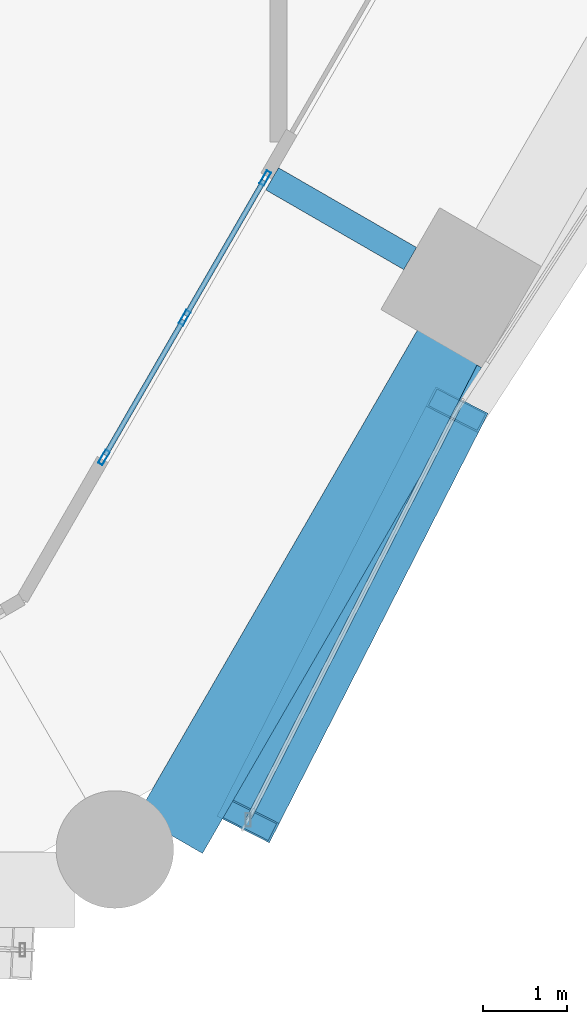
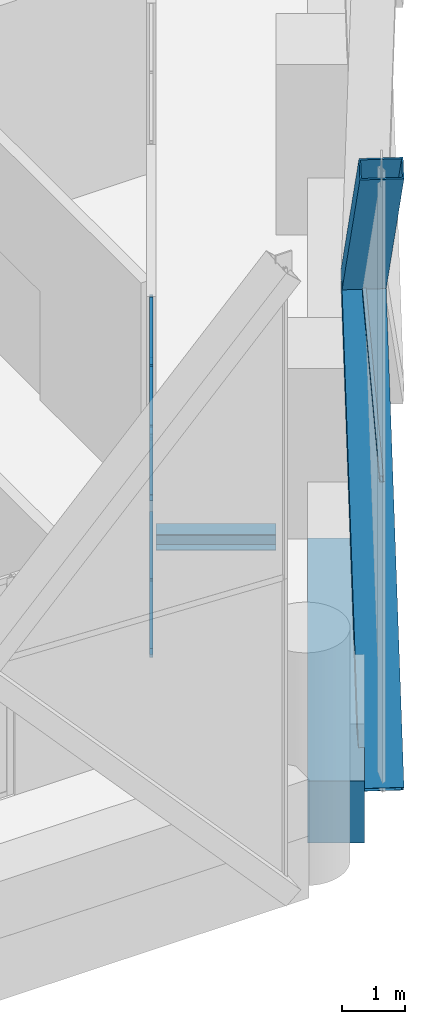
# One storey, part 17 of 46: 12 members, 2 beams, 2 elements without a shape of their own.
"""IFC4 building model written with IfcOpenShell, lengths in metres."""

from ifc_helpers import new_model, si_unit, direction, frame, origin, origin_2d, place, context, subcontext, project, spatial, rectangle, hollow_rectangle, i_section, extrude, material, material_profile, profile_set, type_object, element, aggregate, save


model = new_model("IFC4")

# Units and contexts
model_context = context("Model", 3, precision=1e-05, world=origin(), true_north=direction((0.0, 1.0)))
body_context = subcontext(model_context, "Body", "Model", "MODEL_VIEW")
ifc_project = project(units=[si_unit("LENGTHUNIT", "METRE"), si_unit("AREAUNIT", "SQUARE_METRE"), si_unit("VOLUMEUNIT", "CUBIC_METRE"), si_unit("PLANEANGLEUNIT", "RADIAN"), si_unit("MASSUNIT", "GRAM", prefix="KILO")], contexts=[model_context])

# Site, building, storey
site_placement = place(None, origin())
site = spatial("IfcSite", under=ifc_project, at=site_placement, CompositionType="ELEMENT")
building_placement = place(site_placement, origin())
building = spatial("IfcBuilding", under=site, at=building_placement, Name="Ostrander Bayou Hotel Tower", CompositionType="ELEMENT")
storey_placement = place(building_placement, frame((0.0, 0.0, 23.5)))
storey = spatial("IfcBuildingStorey", under=building, at=storey_placement, Name="L05", CompositionType="ELEMENT", Elevation=23.5)

# Curtain wall, member
ifc_material_1 = material(Name="Aluminium and clear glass", Category="aluminium")
curtain_wall_type_1 = type_object("IfcCurtainWallType", Name="CW-LAT lattice glazing", PredefinedType="NOTDEFINED", material=ifc_material_1)
curtain_wall_1_placement = place(storey_placement, origin())
curtain_wall_1 = element("IfcCurtainWall", 1, at=curtain_wall_1_placement, inside=storey, type_object=curtain_wall_type_1, Name="CW-LAT L05 SE 2", PredefinedType="NOTDEFINED")
ifc_material_2 = material(Name="Aluminium", Category="aluminium")
ifc_material_profile_1 = material_profile(ifc_material_2, hollow_rectangle(XDim=0.06005859375, YDim=0.1201171875, WallThickness=0.00390625, at=origin_2d()))
ifc_profile_set_1 = profile_set([ifc_material_profile_1], Name="Aluminium")
member_type_1 = type_object("IfcMemberType", Name="CW-LA transom 60 x 120 mm", PredefinedType="USERDEFINED", material=ifc_profile_set_1)
member_1_placement = place(storey_placement, frame((13.637939453125, -20.5185546875, 5.39990234375), z_axis=(0.45398127214, 0.891011225825, 0.0), x_axis=(-0.891011225825, 0.45398127214, 0.0)))
member_1 = element("IfcMember", 2, at=member_1_placement, type_object=member_type_1, Name="CW-LAT transom 3", ObjectType="TRANSOM", PredefinedType="USERDEFINED", context=body_context, shape_type="SweptSolid", body=[
    extrude(hollow_rectangle(XDim=0.06005859375, YDim=0.1201171875, WallThickness=0.00390625, at=origin_2d()), origin(), (0.0, 0.0, 1.0), 6.0634765625),
])
aggregate(curtain_wall_1, [member_1])

# Curtain wall, members
ifc_material_3 = material(Name="Aluminium and clear glass", Category="aluminium")
curtain_wall_type_2 = type_object("IfcCurtainWallType", Name="CW-SKY amenity glass wall", PredefinedType="NOTDEFINED", material=ifc_material_3)
curtain_wall_2_placement = place(storey_placement, origin())
curtain_wall_2 = element("IfcCurtainWall", 3, at=curtain_wall_2_placement, inside=storey, type_object=curtain_wall_type_2, Name="CW-SKY L05 SE 1", PredefinedType="NOTDEFINED")
ifc_material_4 = material(Name="Aluminium", Category="aluminium")
ifc_material_profile_2 = material_profile(ifc_material_4, hollow_rectangle(XDim=0.06005859375, YDim=0.179931640625, WallThickness=0.00390625, at=origin_2d()))
ifc_profile_set_2 = profile_set([ifc_material_profile_2], Name="Aluminium")
member_type_2 = type_object("IfcMemberType", Name="CW-SK mullion 60 x 180 mm", PredefinedType="MULLION", material=ifc_profile_set_2)
member_2_placement = place(storey_placement, frame((11.92138671875, -16.201416015625, 0.0), z_axis=(0.0, 0.0, 1.0), x_axis=(-0.866025463091, 0.499999897278, 0.0)))
member_2 = element("IfcMember", 4, at=member_2_placement, type_object=member_type_2, Name="CW-SKY mullion 1", PredefinedType="MULLION", context=body_context, shape_type="SweptSolid", body=[
    extrude(hollow_rectangle(XDim=0.06005859375, YDim=0.179931640625, WallThickness=0.00390625, at=origin_2d()), origin(), (0.0, 0.0, 1.0), 4.199951171875),
])
member_3_placement = place(storey_placement, frame((12.881591796875, -14.53857421875, 0.0), z_axis=(0.0, 0.0, 1.0), x_axis=(-0.866025463091, 0.499999897278, 0.0)))
member_3 = element("IfcMember", 5, at=member_3_placement, type_object=member_type_2, Name="CW-SKY mullion 2", PredefinedType="MULLION", context=body_context, shape_type="SweptSolid", body=[
    extrude(hollow_rectangle(XDim=0.06005859375, YDim=0.179931640625, WallThickness=0.00390625, at=origin_2d()), origin(), (0.0, 0.0, 1.0), 4.199951171875),
])
member_4_placement = place(storey_placement, frame((13.841552734375, -12.875732421875, 0.0), z_axis=(0.0, 0.0, 1.0), x_axis=(-0.866025463091, 0.499999897278, 0.0)))
member_4 = element("IfcMember", 6, at=member_4_placement, type_object=member_type_2, Name="CW-SKY mullion 3", PredefinedType="MULLION", context=body_context, shape_type="SweptSolid", body=[
    extrude(hollow_rectangle(XDim=0.06005859375, YDim=0.179931640625, WallThickness=0.00390625, at=origin_2d()), origin(), (0.0, 0.0, 1.0), 4.199951171875),
])
ifc_material_5 = material(Name="Aluminium", Category="aluminium")
ifc_material_profile_3 = material_profile(ifc_material_5, hollow_rectangle(XDim=0.06005859375, YDim=0.1201171875, WallThickness=0.00390625, at=origin_2d()))
ifc_profile_set_3 = profile_set([ifc_material_profile_3], Name="Aluminium")
member_type_3 = type_object("IfcMemberType", Name="CW-SK transom 60 x 120 mm", PredefinedType="USERDEFINED", material=ifc_profile_set_3)
member_5_placement = place(storey_placement, frame((11.9365234375, -16.17529296875, 0.030029296875), z_axis=(0.499964847546, 0.866045698112, 0.0), x_axis=(-0.866045698112, 0.499964847546, 0.0)))
member_5 = element("IfcMember", 7, at=member_5_placement, type_object=member_type_3, Name="CW-SKY transom 1.1", ObjectType="TRANSOM", PredefinedType="USERDEFINED", context=body_context, shape_type="SweptSolid", body=[
    extrude(hollow_rectangle(XDim=0.06005859375, YDim=0.1201171875, WallThickness=0.00390625, at=origin_2d()), origin(), (0.0, 0.0, 1.0), 1.860107421875),
])
member_6_placement = place(storey_placement, frame((11.9365234375, -16.17529296875, 3.0), z_axis=(0.499964847546, 0.866045698112, 0.0), x_axis=(-0.866045698112, 0.499964847546, 0.0)))
member_6 = element("IfcMember", 8, at=member_6_placement, type_object=member_type_3, Name="CW-SKY transom 1.2", ObjectType="TRANSOM", PredefinedType="USERDEFINED", context=body_context, shape_type="SweptSolid", body=[
    extrude(hollow_rectangle(XDim=0.06005859375, YDim=0.1201171875, WallThickness=0.00390625, at=origin_2d()), origin(), (0.0, 0.0, 1.0), 1.860107421875),
])
member_7_placement = place(storey_placement, frame((11.9365234375, -16.17529296875, 4.169921875), z_axis=(0.499964847546, 0.866045698112, 0.0), x_axis=(-0.866045698112, 0.499964847546, 0.0)))
member_7 = element("IfcMember", 9, at=member_7_placement, type_object=member_type_3, Name="CW-SKY transom 1.3", ObjectType="TRANSOM", PredefinedType="USERDEFINED", context=body_context, shape_type="SweptSolid", body=[
    extrude(hollow_rectangle(XDim=0.06005859375, YDim=0.1201171875, WallThickness=0.00390625, at=origin_2d()), origin(), (0.0, 0.0, 1.0), 1.860107421875),
])
member_8_placement = place(storey_placement, frame((12.896484375, -14.512451171875, 0.030029296875), z_axis=(0.500021687003, 0.866012882425, 0.0), x_axis=(-0.866012882425, 0.500021687003, 0.0)))
member_8 = element("IfcMember", 10, at=member_8_placement, type_object=member_type_3, Name="CW-SKY transom 2.1", ObjectType="TRANSOM", PredefinedType="USERDEFINED", context=body_context, shape_type="SweptSolid", body=[
    extrude(hollow_rectangle(XDim=0.06005859375, YDim=0.1201171875, WallThickness=0.00390625, at=origin_2d()), origin(), (0.0, 0.0, 1.0), 1.85986328125),
])
member_9_placement = place(storey_placement, frame((12.896484375, -14.512451171875, 3.0), z_axis=(0.500021687003, 0.866012882425, 0.0), x_axis=(-0.866012882425, 0.500021687003, 0.0)))
member_9 = element("IfcMember", 11, at=member_9_placement, type_object=member_type_3, Name="CW-SKY transom 2.2", ObjectType="TRANSOM", PredefinedType="USERDEFINED", context=body_context, shape_type="SweptSolid", body=[
    extrude(hollow_rectangle(XDim=0.06005859375, YDim=0.1201171875, WallThickness=0.00390625, at=origin_2d()), origin(), (0.0, 0.0, 1.0), 1.85986328125),
])
member_10_placement = place(storey_placement, frame((12.896484375, -14.512451171875, 4.169921875), z_axis=(0.500021687003, 0.866012882425, 0.0), x_axis=(-0.866012882425, 0.500021687003, 0.0)))
member_10 = element("IfcMember", 12, at=member_10_placement, type_object=member_type_3, Name="CW-SKY transom 2.3", ObjectType="TRANSOM", PredefinedType="USERDEFINED", context=body_context, shape_type="SweptSolid", body=[
    extrude(hollow_rectangle(XDim=0.06005859375, YDim=0.1201171875, WallThickness=0.00390625, at=origin_2d()), origin(), (0.0, 0.0, 1.0), 1.85986328125),
])
aggregate(curtain_wall_2, [member_2, member_3, member_4, member_5, member_6, member_7, member_8, member_9, member_10])

# Beam
ifc_material_6 = material(Name="Steel ASTM A992", Category="steel")
ifc_material_profile_4 = material_profile(ifc_material_6, i_section(OverallWidth=0.3046875, OverallDepth=0.307861328125, WebThickness=0.010009765625, FlangeThickness=0.015380859375, at=origin_2d()))
ifc_profile_set_4 = profile_set([ifc_material_profile_4], Name="Steel ASTM A992")
beam_type_1 = type_object("IfcBeamType", Name="LB1 loggia bracket W12x65", PredefinedType="BEAM", material=ifc_profile_set_4)
beam_1_placement = place(storey_placement, frame((15.569091796875, -13.833251953125, -0.453857421875), z_axis=(-0.86601224135, 0.500022797313, 0.0), x_axis=(-0.500022797313, -0.86601224135, 0.0)))
element("IfcBeam", 13, at=beam_1_placement, inside=storey, type_object=beam_type_1, Name="LB1 L05 SE1", PredefinedType="BEAM", context=body_context, shape_type="SweptSolid", body=[
    extrude(i_section(OverallWidth=0.3046875, OverallDepth=0.307861328125, WebThickness=0.010009765625, FlangeThickness=0.015380859375, at=origin_2d()), origin(), (0.0, 0.0, 1.0), 1.89990234375),
])

# Members
ifc_material_7 = material(Name="Steel ASTM A572 Gr 50", Category="steel")
ifc_material_profile_5 = material_profile(ifc_material_7, hollow_rectangle(XDim=0.699951171875, YDim=0.35009765625, WallThickness=0.02490234375, at=origin_2d()))
ifc_profile_set_5 = profile_set([ifc_material_profile_5], Name="Steel ASTM A572 Gr 50")
member_type_4 = type_object("IfcMemberType", Name="LT1 lattice member box 700 x 350 x 25 mm", PredefinedType="BRACE", material=ifc_profile_set_5)
for number, where, z_axis, x_axis, name in (
    (14, (16.126953125, -15.63330078125, 5.39990234375), (-0.306235162835, -0.60105596943, -0.738208471), (0.891017407703, -0.453969139007, 0.0), "LT1 L05 SE 1"),
    (15, (16.126953125, -15.63330078125, 5.39990234375), (-0.306235162835, -0.60105596943, 0.738208471), (0.891017407703, -0.453969139007, 0.0), "LT1 L05 SE 2"),
):
    element("IfcMember", number, at=place(storey_placement, frame(where, z_axis=z_axis, x_axis=x_axis)), inside=storey, type_object=member_type_4, Name=name, PredefinedType="BRACE", context=body_context, shape_type="SweptSolid", body=[
        extrude(hollow_rectangle(XDim=0.699951171875, YDim=0.35009765625, WallThickness=0.02490234375, at=origin_2d()), origin(), (0.0, 0.0, 1.0), 8.127685546875),
    ])

# Beam
ifc_material_8 = material(Name="Concrete f'c 70 MPa", Category="concrete")
ifc_material_profile_6 = material_profile(ifc_material_8, rectangle(XDim=0.89990234375, YDim=1.199951171875, at=origin_2d()))
ifc_profile_set_6 = profile_set([ifc_material_profile_6], Name="Concrete f'c 70 MPa")
beam_type_2 = type_object("IfcBeamType", Name="SP1 spandrel beam 900 x 1200 mm f'c 70 MPa", PredefinedType="SPANDREL", material=ifc_profile_set_6)
beam_2_placement = place(storey_placement, frame((12.705078125, -20.694091796875, -0.60009765625), z_axis=(0.500005133765, 0.866022439784, 0.0), x_axis=(-0.866022439784, 0.500005133765, 0.0)))
element("IfcBeam", 16, at=beam_2_placement, inside=storey, type_object=beam_type_2, Name="SP1 L05 SE-1", PredefinedType="SPANDREL", context=body_context, shape_type="SweptSolid", body=[
    extrude(rectangle(XDim=0.89990234375, YDim=1.199951171875, at=origin_2d()), origin(), (0.0, 0.0, 1.0), 6.70361328125),
])

save(model, "model.ifc")
